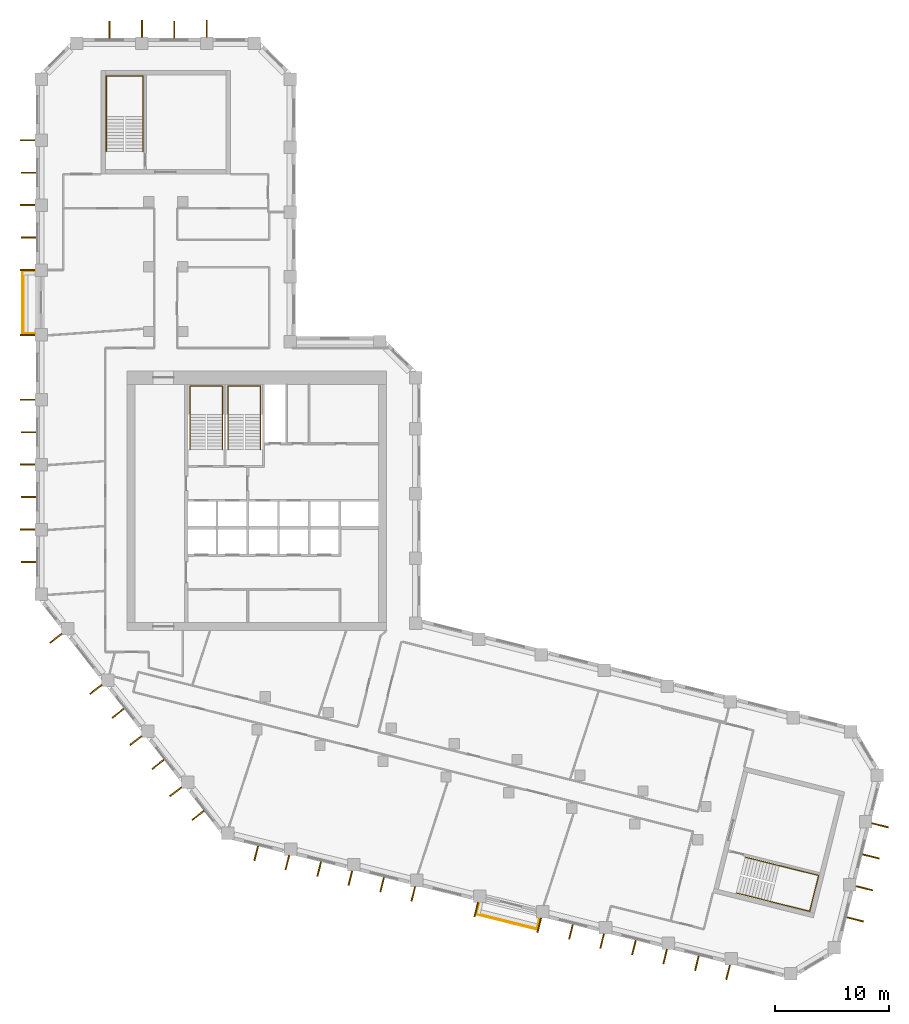
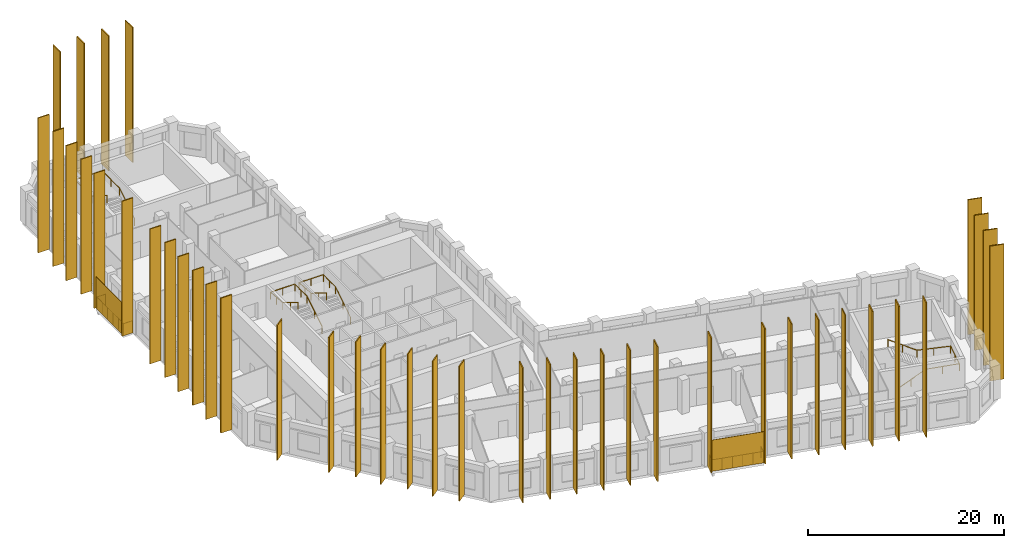
# One storey, part 10 of 10: 43 shading devices, 6 railings.
"""IFC4 building model written with IfcOpenShell, lengths in metres."""

from ifc_helpers import new_model, si_unit, direction, frame, origin, origin_2d, place, context, subcontext, project, spatial, rectangle, circle, extrude, material, layer, layer_set, type_object, element, save


model = new_model("IFC4")

# Units and contexts
model_context = context("Model", 3, precision=1e-05, world=origin(), true_north=direction((0.0, 1.0)))
body_context = subcontext(model_context, "Body", "Model", "MODEL_VIEW")
ifc_project = project(units=[si_unit("LENGTHUNIT", "METRE"), si_unit("AREAUNIT", "SQUARE_METRE"), si_unit("VOLUMEUNIT", "CUBIC_METRE"), si_unit("PLANEANGLEUNIT", "RADIAN"), si_unit("MASSUNIT", "GRAM", prefix="KILO")], contexts=[model_context])

# Site, building, storey
site_placement = place(None, origin())
site = spatial("IfcSite", under=ifc_project, at=site_placement, CompositionType="ELEMENT")
building_placement = place(site_placement, origin())
building = spatial("IfcBuilding", under=site, at=building_placement, Name="Meshkara Civic Tower", CompositionType="ELEMENT")
storey_placement = place(building_placement, frame((0.0, 0.0, 242.39990234375)))
storey = spatial("IfcBuildingStorey", under=building, at=storey_placement, Name="L55", CompositionType="ELEMENT", Elevation=242.39990234375)

# Railings
ifc_material_1 = material(Name="Steel S355", Category="steel")
railing_type_1 = type_object("IfcRailingType", Name="BALUSTRADE GUARD 1400", PredefinedType="BALUSTRADE", material=ifc_material_1)
railing_1_placement = place(storey_placement, frame((-0.10009765625, 45.635009765625, 0.0)))
element("IfcRailing", 1, at=railing_1_placement, inside=storey, type_object=railing_type_1, Name="Balcony guard", PredefinedType="BALUSTRADE", context=body_context, shape_type="SweptSolid", body=[
    extrude(circle(Radius=0.02392578125, at=origin_2d()), frame((0.0, 0.0, 1.3759765625), z_axis=(-1.0, 0.0, 0.0), x_axis=(0.0, -1.0, 0.0)), (0.0, 0.0, 1.0), 1.010009765625),
    extrude(circle(Radius=0.02392578125, at=origin_2d()), frame((-1.010009765625, 0.0, 1.3759765625), z_axis=(0.0, -1.0, 0.0), x_axis=(1.0, 0.0, 0.0)), (0.0, 0.0, 1.0), 5.4599609375),
    extrude(circle(Radius=0.02392578125, at=origin_2d()), frame((-1.010009765625, -5.4599609375, 1.3759765625), z_axis=(1.0, 0.0, 0.0), x_axis=(0.0, 1.0, 0.0)), (0.0, 0.0, 1.0), 1.010009765625),
    extrude(circle(Radius=0.02099609375, at=origin_2d()), origin(), (0.0, 0.0, 1.0), 1.351806640625),
    extrude(circle(Radius=0.02099609375, at=origin_2d()), frame((-1.010009765625, 0.0, 0.0)), (0.0, 0.0, 1.0), 1.351806640625),
    extrude(circle(Radius=0.02099609375, at=origin_2d()), frame((-1.010009765625, -1.092041015625, 0.0)), (0.0, 0.0, 1.0), 1.351806640625),
    extrude(circle(Radius=0.02099609375, at=origin_2d()), frame((-1.010009765625, -2.18408203125, 0.0)), (0.0, 0.0, 1.0), 1.351806640625),
    extrude(circle(Radius=0.02099609375, at=origin_2d()), frame((-1.010009765625, -3.27587890625, 0.0)), (0.0, 0.0, 1.0), 1.351806640625),
    extrude(circle(Radius=0.02099609375, at=origin_2d()), frame((-1.010009765625, -4.367919921875, 0.0)), (0.0, 0.0, 1.0), 1.351806640625),
    extrude(circle(Radius=0.02099609375, at=origin_2d()), frame((-1.010009765625, -5.4599609375, 0.0)), (0.0, 0.0, 1.0), 1.351806640625),
    extrude(circle(Radius=0.02099609375, at=origin_2d()), frame((0.0, -5.4599609375, 0.0)), (0.0, 0.0, 1.0), 1.351806640625),
])
railing_2_placement = place(storey_placement, frame((38.928955078125, -9.928955078125, 0.0)))
element("IfcRailing", 2, at=railing_2_placement, inside=storey, type_object=railing_type_1, Name="Balcony guard", PredefinedType="BALUSTRADE", context=body_context, shape_type="SweptSolid", body=[
    extrude(circle(Radius=0.02392578125, at=origin_2d()), frame((0.0, 0.0, 1.3759765625), z_axis=(-0.241828319243, -0.97031905269, 0.0), x_axis=(0.97031905269, -0.241828319243, 0.0)), (0.0, 0.0, 1.0), 0.8935546875),
    extrude(circle(Radius=0.02392578125, at=origin_2d()), frame((-0.216064453125, -0.866943359375, 1.3759765625), z_axis=(0.970292231073, -0.24193591366, 0.0), x_axis=(0.24193591366, 0.970292231073, 0.0)), (0.0, 0.0, 1.0), 5.460205078125),
    extrude(circle(Radius=0.02392578125, at=origin_2d()), frame((5.08203125, -2.18798828125, 1.3759765625), z_axis=(0.241828319243, 0.97031905269, 0.0), x_axis=(-0.97031905269, 0.241828319243, 0.0)), (0.0, 0.0, 1.0), 0.8935546875),
    extrude(circle(Radius=0.02099609375, at=origin_2d()), origin(), (0.0, 0.0, 1.0), 1.351806640625),
    extrude(circle(Radius=0.02099609375, at=origin_2d()), frame((-0.216064453125, -0.866943359375, 0.0)), (0.0, 0.0, 1.0), 1.351806640625),
    extrude(circle(Radius=0.02099609375, at=origin_2d()), frame((0.843505859375, -1.131103515625, 0.0)), (0.0, 0.0, 1.0), 1.351806640625),
    extrude(circle(Radius=0.02099609375, at=origin_2d()), frame((1.903076171875, -1.395263671875, 0.0)), (0.0, 0.0, 1.0), 1.351806640625),
    extrude(circle(Radius=0.02099609375, at=origin_2d()), frame((2.962890625, -1.65966796875, 0.0)), (0.0, 0.0, 1.0), 1.351806640625),
    extrude(circle(Radius=0.02099609375, at=origin_2d()), frame((4.0224609375, -1.923828125, 0.0)), (0.0, 0.0, 1.0), 1.351806640625),
    extrude(circle(Radius=0.02099609375, at=origin_2d()), frame((5.08203125, -2.18798828125, 0.0)), (0.0, 0.0, 1.0), 1.351806640625),
    extrude(circle(Radius=0.02099609375, at=origin_2d()), frame((5.298095703125, -1.321044921875, 0.0)), (0.0, 0.0, 1.0), 1.351806640625),
])

# Shading devices
ifc_material_2 = material(Name="Bronze anodised aluminium", Category="aluminium")
ifc_layer_1 = layer(ifc_material_2, 0.1201171875)
ifc_layer_set_1 = layer_set([ifc_layer_1], Name="BRONZE FIN 1300")
shading_device_type_1 = type_object("IfcShadingDeviceType", Name="BRONZE FIN 1300", PredefinedType="USERDEFINED", material=ifc_layer_set_1)
for number, where, z_axis, x_axis, name in (
    (3, (-0.75, 57.155029296875, 0.0), (0.0, 0.0, 1.0), (0.0, -1.0, 0.0), "Fin"),
    (4, (-0.64990234375, 54.304931640625, 0.0), (0.0, 0.0, 1.0), (0.0, -1.0, 0.0), "Fin"),
    (5, (-0.75, 51.455078125, 0.0), (0.0, 0.0, 1.0), (0.0, -1.0, 0.0), "Fin"),
    (6, (-0.64990234375, 48.60498046875, 0.0), (0.0, 0.0, 1.0), (0.0, -1.0, 0.0), "Fin"),
    (7, (-0.75, 45.7548828125, 0.0), (0.0, 0.0, 1.0), (0.0, -1.0, 0.0), "Fin"),
    (8, (-0.75, 40.054931640625, 0.0), (0.0, 0.0, 1.0), (0.0, -1.0, 0.0), "Fin"),
    (9, (-0.75, 34.35498046875, 0.0), (0.0, 0.0, 1.0), (0.0, -1.0, 0.0), "Fin"),
    (10, (-0.64990234375, 31.5048828125, 0.0), (0.0, 0.0, 1.0), (0.0, -1.0, 0.0), "Fin"),
    (11, (-0.75, 28.655029296875, 0.0), (0.0, 0.0, 1.0), (0.0, -1.0, 0.0), "Fin"),
    (12, (-0.64990234375, 25.804931640625, 0.0), (0.0, 0.0, 1.0), (0.0, -1.0, 0.0), "Fin"),
    (13, (-0.75, 22.955078125, 0.0), (0.0, 0.0, 1.0), (0.0, -1.0, 0.0), "Fin"),
    (14, (-0.64990234375, 20.10498046875, 0.0), (0.0, 0.0, 1.0), (0.0, -1.0, 0.0), "Fin"),
    (15, (1.751953125, 13.39892578125, 0.0), (0.0, 0.0, 1.0), (0.615661475326, -0.788010753607, 0.0), "Fin"),
    (16, (5.260986328125, 8.906982421875, 0.0), (0.0, 0.0, 1.0), (0.615661475326, -0.788010753607, 0.0), "Fin"),
    (17, (7.2109375, 6.81396484375, 0.0), (0.0, 0.0, 1.0), (0.615661475326, -0.788010753607, 0.0), "Fin"),
    (18, (8.77099609375, 4.4150390625, 0.0), (0.0, 0.0, 1.0), (0.615661475326, -0.788010753607, 0.0), "Fin"),
    (19, (10.720947265625, 2.322021484375, 0.0), (0.0, 0.0, 1.0), (0.615661475326, -0.788010753607, 0.0), "Fin"),
    (20, (12.280029296875, -0.075927734375, 0.0), (0.0, 0.0, 1.0), (0.615661475326, -0.788010753607, 0.0), "Fin"),
    (21, (14.22998046875, -2.1689453125, 0.0), (0.0, 0.0, 1.0), (0.615661475326, -0.788010753607, 0.0), "Fin"),
    (22, (19.35009765625, -5.4951171875, 0.0), (0.0, 0.0, 1.0), (0.970299948462, -0.241904960708, 0.0), "Fin"),
    (23, (22.087890625, -6.298095703125, 0.0), (0.0, 0.0, 1.0), (0.970299948462, -0.241904960708, 0.0), "Fin"),
    (24, (24.881103515625, -6.873046875, 0.0), (0.0, 0.0, 1.0), (0.970299948462, -0.241904960708, 0.0), "Fin"),
    (25, (27.617919921875, -7.677001953125, 0.0), (0.0, 0.0, 1.0), (0.970299948462, -0.241904960708, 0.0), "Fin"),
    (26, (30.412109375, -8.251953125, 0.0), (0.0, 0.0, 1.0), (0.970299948462, -0.241904960708, 0.0), "Fin"),
    (27, (33.14892578125, -9.055908203125, 0.0), (0.0, 0.0, 1.0), (0.970299948462, -0.241904960708, 0.0), "Fin"),
    (28, (38.679931640625, -10.43408203125, 0.0), (0.0, 0.0, 1.0), (0.970299948462, -0.241904960708, 0.0), "Fin"),
    (29, (44.2109375, -11.81298828125, 0.0), (0.0, 0.0, 1.0), (0.970299948462, -0.241904960708, 0.0), "Fin"),
    (30, (47.00390625, -12.388916015625, 0.0), (0.0, 0.0, 1.0), (0.970299948462, -0.241904960708, 0.0), "Fin"),
    (31, (49.740966796875, -13.19189453125, 0.0), (0.0, 0.0, 1.0), (0.970299948462, -0.241904960708, 0.0), "Fin"),
    (32, (52.533935546875, -13.76806640625, 0.0), (0.0, 0.0, 1.0), (0.970299948462, -0.241904960708, 0.0), "Fin"),
    (33, (55.27197265625, -14.571044921875, 0.0), (0.0, 0.0, 1.0), (0.970299948462, -0.241904960708, 0.0), "Fin"),
    (34, (58.06494140625, -15.14697265625, 0.0), (0.0, 0.0, 1.0), (0.970299948462, -0.241904960708, 0.0), "Fin"),
    (35, (60.802978515625, -15.949951171875, 0.0), (0.0, 0.0, 1.0), (0.970299948462, -0.241904960708, 0.0), "Fin"),
):
    element("IfcShadingDevice", number, at=place(storey_placement, frame(where, z_axis=z_axis, x_axis=x_axis)), inside=storey, type_object=shading_device_type_1, Name=name, ObjectType="FIN", PredefinedType="USERDEFINED", context=body_context, shape_type="SweptSolid", body=[
        extrude(rectangle(XDim=0.1201171875, YDim=1.300048828125, at=origin_2d()), origin(), (0.0, 0.0, 1.0), 16.800048828125),
    ])
ifc_material_3 = material(Name="Bronze anodised aluminium", Category="aluminium")
ifc_layer_2 = layer(ifc_material_3, 0.1201171875)
ifc_layer_set_2 = layer_set([ifc_layer_2], Name="BRONZE FIN 1500")
shading_device_type_2 = type_object("IfcShadingDeviceType", Name="BRONZE FIN 1500", PredefinedType="USERDEFINED", material=ifc_layer_set_2)
for number, where, z_axis, x_axis, name in (
    (36, (15.006103515625, 66.969970703125, 0.0), (0.0, 0.0, 1.0), (-1.0, 0.0, 0.0), "Fin"),
    (37, (12.156005859375, 66.8701171875, 0.0), (0.0, 0.0, 1.0), (-1.0, 0.0, 0.0), "Fin"),
    (38, (9.305908203125, 66.969970703125, 0.0), (0.0, 0.0, 1.0), (-1.0, 0.0, 0.0), "Fin"),
    (39, (6.4560546875, 66.8701171875, 0.0), (0.0, 0.0, 1.0), (-1.0, 0.0, 0.0), "Fin"),
    (40, (71.97607421875, -11.291015625, 0.0), (0.0, 0.0, 1.0), (0.2419218956, 0.970295726276, 0.0), "Fin"),
    (41, (72.779052734375, -8.553955078125, 0.0), (0.0, 0.0, 1.0), (0.2419218956, 0.970295726276, 0.0), "Fin"),
    (42, (73.35498046875, -5.760009765625, 0.0), (0.0, 0.0, 1.0), (0.2419218956, 0.970295726276, 0.0), "Fin"),
    (43, (74.157958984375, -3.02392578125, 0.0), (0.0, 0.0, 1.0), (0.2419218956, 0.970295726276, 0.0), "Fin"),
):
    element("IfcShadingDevice", number, at=place(storey_placement, frame(where, z_axis=z_axis, x_axis=x_axis)), inside=storey, type_object=shading_device_type_2, Name=name, ObjectType="FIN", PredefinedType="USERDEFINED", context=body_context, shape_type="SweptSolid", body=[
        extrude(rectangle(XDim=0.1201171875, YDim=1.5, at=origin_2d()), origin(), (0.0, 0.0, 1.0), 16.800048828125),
    ])
ifc_material_4 = material(Name="Perforated bronze anodised aluminium sheet", Category="aluminium")
ifc_layer_3 = layer(ifc_material_4, 0.0400390625)
ifc_layer_set_3 = layer_set([ifc_layer_3], Name="PERFORATED BRONZE SCREEN")
shading_device_type_3 = type_object("IfcShadingDeviceType", Name="PERFORATED BRONZE SCREEN", PredefinedType="USERDEFINED", material=ifc_layer_set_3)
for number, where, z_axis, x_axis, name in (
    (44, (-1.179931640625, 42.905029296875, 0.000244140625), (0.0, 0.0, 1.0), (0.0, -1.0, 0.0), "Balcony screen"),
    (45, (41.344970703125, -11.52392578125, 0.000244140625), (0.0, 0.0, 1.0), (0.970299948462, -0.241904960708, 0.0), "Balcony screen"),
):
    element("IfcShadingDevice", number, at=place(storey_placement, frame(where, z_axis=z_axis, x_axis=x_axis)), inside=storey, type_object=shading_device_type_3, Name=name, ObjectType="SCREEN", PredefinedType="USERDEFINED", context=body_context, shape_type="SweptSolid", body=[
        extrude(rectangle(XDim=5.580078125, YDim=0.0400390625, at=origin_2d()), origin(), (0.0, 0.0, 1.0), 3.89990234375),
    ])

# Railings
ifc_material_5 = material(Name="Steel handrail", Category="steel")
railing_type_2 = type_object("IfcRailingType", Name="Stair handrail 900", PredefinedType="HANDRAIL", material=ifc_material_5)
railing_3_placement = place(storey_placement, frame((16.375, 30.0, 0.175048828125)))
element("IfcRailing", 46, at=railing_3_placement, inside=storey, type_object=railing_type_2, Name="L55 ST1 stair handrail 1", PredefinedType="HANDRAIL", context=body_context, shape_type="SweptSolid", body=[
    extrude(circle(Radius=0.02392578125, at=origin_2d()), frame((0.0, 0.0, 0.8759765625), z_axis=(0.0, 0.847998304005, 0.529998940003), x_axis=(-1.0, 0.0, 0.0)), (0.0, 0.0, 1.0), 3.632080078125),
    extrude(circle(Radius=0.02392578125, at=origin_2d()), frame((0.0, 3.080078125, 2.80078125), z_axis=(0.0, 1.0, 0.0), x_axis=(-1.0, 0.0, 0.0)), (0.0, 0.0, 1.0), 2.469970703125),
    extrude(circle(Radius=0.02392578125, at=origin_2d()), frame((0.0, 5.550048828125, 2.80078125), z_axis=(-1.0, 0.0, 0.0), x_axis=(0.0, -1.0, 0.0)), (0.0, 0.0, 1.0), 2.85009765625),
    extrude(circle(Radius=0.02392578125, at=origin_2d()), frame((-2.85009765625, 5.550048828125, 2.80078125), z_axis=(0.0, -0.997498084828, 0.070693498747), x_axis=(1.0, 0.0, 0.0)), (0.0, 0.0, 1.0), 2.47607421875),
    extrude(circle(Radius=0.02392578125, at=origin_2d()), frame((-2.85009765625, 3.080078125, 2.97607421875), z_axis=(0.0, -0.847998304005, 0.529998940003), x_axis=(1.0, 0.0, 0.0)), (0.0, 0.0, 1.0), 3.632080078125),
    extrude(circle(Radius=0.02099609375, at=origin_2d()), origin(), (0.0, 0.0, 1.0), 0.851806640625),
    extrude(circle(Radius=0.02099609375, at=origin_2d()), frame((0.0, 1.5400390625, 0.96240234375)), (0.0, 0.0, 1.0), 0.851806640625),
    extrude(circle(Radius=0.02099609375, at=origin_2d()), frame((0.0, 3.080078125, 1.925048828125)), (0.0, 0.0, 1.0), 0.851806640625),
    extrude(circle(Radius=0.02099609375, at=origin_2d()), frame((0.0, 4.31494140625, 1.925048828125)), (0.0, 0.0, 1.0), 0.851806640625),
    extrude(circle(Radius=0.02099609375, at=origin_2d()), frame((0.0, 5.550048828125, 1.925048828125)), (0.0, 0.0, 1.0), 0.851806640625),
    extrude(circle(Radius=0.02099609375, at=origin_2d()), frame((-1.425048828125, 5.550048828125, 1.925048828125)), (0.0, 0.0, 1.0), 0.851806640625),
    extrude(circle(Radius=0.02099609375, at=origin_2d()), frame((-2.85009765625, 5.550048828125, 1.925048828125)), (0.0, 0.0, 1.0), 0.851806640625),
    extrude(circle(Radius=0.02099609375, at=origin_2d()), frame((-2.85009765625, 4.31494140625, 2.0126953125)), (0.0, 0.0, 1.0), 0.851806640625),
    extrude(circle(Radius=0.02099609375, at=origin_2d()), frame((-2.85009765625, 3.080078125, 2.10009765625)), (0.0, 0.0, 1.0), 0.851806640625),
    extrude(circle(Radius=0.02099609375, at=origin_2d()), frame((-2.85009765625, 1.5400390625, 3.0625)), (0.0, 0.0, 1.0), 0.851806640625),
    extrude(circle(Radius=0.02099609375, at=origin_2d()), frame((-2.85009765625, 0.0, 4.025146484375)), (0.0, 0.0, 1.0), 0.851806640625),
])
railing_4_placement = place(storey_placement, frame((19.72509765625, 30.0, 0.175048828125)))
element("IfcRailing", 47, at=railing_4_placement, inside=storey, type_object=railing_type_2, Name="L55 ST2 stair handrail 1", PredefinedType="HANDRAIL", context=body_context, shape_type="SweptSolid", body=[
    extrude(circle(Radius=0.02392578125, at=origin_2d()), frame((0.0, 0.0, 0.8759765625), z_axis=(0.0, 0.847998304005, 0.529998940003), x_axis=(-1.0, 0.0, 0.0)), (0.0, 0.0, 1.0), 3.632080078125),
    extrude(circle(Radius=0.02392578125, at=origin_2d()), frame((0.0, 3.080078125, 2.80078125), z_axis=(0.0, 1.0, 0.0), x_axis=(-1.0, 0.0, 0.0)), (0.0, 0.0, 1.0), 2.469970703125),
    extrude(circle(Radius=0.02392578125, at=origin_2d()), frame((0.0, 5.550048828125, 2.80078125), z_axis=(-1.0, 0.0, 0.0), x_axis=(0.0, -1.0, 0.0)), (0.0, 0.0, 1.0), 2.85009765625),
    extrude(circle(Radius=0.02392578125, at=origin_2d()), frame((-2.85009765625, 5.550048828125, 2.80078125), z_axis=(0.0, -0.997498084828, 0.070693498747), x_axis=(1.0, 0.0, 0.0)), (0.0, 0.0, 1.0), 2.47607421875),
    extrude(circle(Radius=0.02392578125, at=origin_2d()), frame((-2.85009765625, 3.080078125, 2.97607421875), z_axis=(0.0, -0.847998304005, 0.529998940003), x_axis=(1.0, 0.0, 0.0)), (0.0, 0.0, 1.0), 3.632080078125),
    extrude(circle(Radius=0.02099609375, at=origin_2d()), origin(), (0.0, 0.0, 1.0), 0.851806640625),
    extrude(circle(Radius=0.02099609375, at=origin_2d()), frame((0.0, 1.5400390625, 0.96240234375)), (0.0, 0.0, 1.0), 0.851806640625),
    extrude(circle(Radius=0.02099609375, at=origin_2d()), frame((0.0, 3.080078125, 1.925048828125)), (0.0, 0.0, 1.0), 0.851806640625),
    extrude(circle(Radius=0.02099609375, at=origin_2d()), frame((0.0, 4.31494140625, 1.925048828125)), (0.0, 0.0, 1.0), 0.851806640625),
    extrude(circle(Radius=0.02099609375, at=origin_2d()), frame((0.0, 5.550048828125, 1.925048828125)), (0.0, 0.0, 1.0), 0.851806640625),
    extrude(circle(Radius=0.02099609375, at=origin_2d()), frame((-1.425048828125, 5.550048828125, 1.925048828125)), (0.0, 0.0, 1.0), 0.851806640625),
    extrude(circle(Radius=0.02099609375, at=origin_2d()), frame((-2.85009765625, 5.550048828125, 1.925048828125)), (0.0, 0.0, 1.0), 0.851806640625),
    extrude(circle(Radius=0.02099609375, at=origin_2d()), frame((-2.85009765625, 4.31494140625, 2.0126953125)), (0.0, 0.0, 1.0), 0.851806640625),
    extrude(circle(Radius=0.02099609375, at=origin_2d()), frame((-2.85009765625, 3.080078125, 2.10009765625)), (0.0, 0.0, 1.0), 0.851806640625),
    extrude(circle(Radius=0.02099609375, at=origin_2d()), frame((-2.85009765625, 1.5400390625, 3.0625)), (0.0, 0.0, 1.0), 0.851806640625),
    extrude(circle(Radius=0.02099609375, at=origin_2d()), frame((-2.85009765625, 0.0, 4.025146484375)), (0.0, 0.0, 1.0), 0.851806640625),
])
railing_5_placement = place(storey_placement, frame((9.425048828125, 56.169921875, 0.175048828125)))
element("IfcRailing", 48, at=railing_5_placement, inside=storey, type_object=railing_type_2, Name="L55 ESA4 stair handrail 1", PredefinedType="HANDRAIL", context=body_context, shape_type="SweptSolid", body=[
    extrude(circle(Radius=0.02392578125, at=origin_2d()), frame((0.0, 0.0, 0.8759765625), z_axis=(0.0, 0.847998304005, 0.529998940003), x_axis=(-1.0, 0.0, 0.0)), (0.0, 0.0, 1.0), 3.632080078125),
    extrude(circle(Radius=0.02392578125, at=origin_2d()), frame((0.0, 3.080078125, 2.80078125), z_axis=(0.0, 1.0, 0.0), x_axis=(-1.0, 0.0, 0.0)), (0.0, 0.0, 1.0), 3.570068359375),
    extrude(circle(Radius=0.02392578125, at=origin_2d()), frame((0.0, 6.650146484375, 2.80078125), z_axis=(-1.0, 0.0, 0.0), x_axis=(0.0, -1.0, 0.0)), (0.0, 0.0, 1.0), 3.25),
    extrude(circle(Radius=0.02392578125, at=origin_2d()), frame((-3.25, 6.650146484375, 2.80078125), z_axis=(0.0, -0.998800077689, 0.048973511297), x_axis=(1.0, 0.0, 0.0)), (0.0, 0.0, 1.0), 3.574462890625),
    extrude(circle(Radius=0.02392578125, at=origin_2d()), frame((-3.25, 3.080078125, 2.97607421875), z_axis=(0.0, -0.847998304005, 0.529998940003), x_axis=(1.0, 0.0, 0.0)), (0.0, 0.0, 1.0), 3.632080078125),
    extrude(circle(Radius=0.02099609375, at=origin_2d()), origin(), (0.0, 0.0, 1.0), 0.851806640625),
    extrude(circle(Radius=0.02099609375, at=origin_2d()), frame((0.0, 1.5400390625, 0.96240234375)), (0.0, 0.0, 1.0), 0.851806640625),
    extrude(circle(Radius=0.02099609375, at=origin_2d()), frame((0.0, 3.080078125, 1.925048828125)), (0.0, 0.0, 1.0), 0.851806640625),
    extrude(circle(Radius=0.02099609375, at=origin_2d()), frame((0.0, 4.865234375, 1.925048828125)), (0.0, 0.0, 1.0), 0.851806640625),
    extrude(circle(Radius=0.02099609375, at=origin_2d()), frame((0.0, 6.650146484375, 1.925048828125)), (0.0, 0.0, 1.0), 0.851806640625),
    extrude(circle(Radius=0.02099609375, at=origin_2d()), frame((-1.625, 6.650146484375, 1.925048828125)), (0.0, 0.0, 1.0), 0.851806640625),
    extrude(circle(Radius=0.02099609375, at=origin_2d()), frame((-3.25, 6.650146484375, 1.925048828125)), (0.0, 0.0, 1.0), 0.851806640625),
    extrude(circle(Radius=0.02099609375, at=origin_2d()), frame((-3.25, 4.865234375, 2.0126953125)), (0.0, 0.0, 1.0), 0.851806640625),
    extrude(circle(Radius=0.02099609375, at=origin_2d()), frame((-3.25, 3.080078125, 2.10009765625)), (0.0, 0.0, 1.0), 0.851806640625),
    extrude(circle(Radius=0.02099609375, at=origin_2d()), frame((-3.25, 1.5400390625, 3.0625)), (0.0, 0.0, 1.0), 0.851806640625),
    extrude(circle(Radius=0.02099609375, at=origin_2d()), frame((-3.25, 0.0, 4.025146484375)), (0.0, 0.0, 1.0), 0.851806640625),
])
railing_6_placement = place(storey_placement, frame((61.526123046875, -8.97607421875, 0.175048828125)))
element("IfcRailing", 49, at=railing_6_placement, inside=storey, type_object=railing_type_2, Name="L55 ESB4 stair handrail 1", PredefinedType="HANDRAIL", context=body_context, shape_type="SweptSolid", body=[
    extrude(circle(Radius=0.02392578125, at=origin_2d()), frame((0.0, 0.0, 0.8759765625), z_axis=(0.822771605551, -0.205222362071, 0.530028930537), x_axis=(0.242013336109, 0.97027292302, 0.0)), (0.0, 0.0, 1.0), 3.632080078125),
    extrude(circle(Radius=0.02392578125, at=origin_2d()), frame((2.98828125, -0.745361328125, 2.80078125), z_axis=(0.97025503065, -0.242085058395, 0.0), x_axis=(0.242085058395, 0.97025503065, 0.0)), (0.0, 0.0, 1.0), 3.570068359375),
    extrude(circle(Radius=0.02392578125, at=origin_2d()), frame((6.4521484375, -1.609619140625, 2.80078125), z_axis=(0.242040676986, 0.970266103027, 0.0), x_axis=(-0.970266103027, 0.242040676986, 0.0)), (0.0, 0.0, 1.0), 3.25),
    extrude(circle(Radius=0.02392578125, at=origin_2d()), frame((7.23876953125, 1.543701171875, 2.80078125), z_axis=(-0.969086635977, 0.241810579499, 0.04897688856), x_axis=(-0.24210112213, -0.970251022501, 0.0)), (0.0, 0.0, 1.0), 3.57421875),
    extrude(circle(Radius=0.02392578125, at=origin_2d()), frame((3.775146484375, 2.407958984375, 2.97607421875), z_axis=(-0.822793318929, 0.205211012392, 0.529999617659), x_axis=(-0.24199472324, -0.970277565403, 0.0)), (0.0, 0.0, 1.0), 3.632080078125),
    extrude(circle(Radius=0.02099609375, at=origin_2d()), origin(), (0.0, 0.0, 1.0), 0.851806640625),
    extrude(circle(Radius=0.02099609375, at=origin_2d()), frame((1.494140625, -0.37255859375, 0.96240234375)), (0.0, 0.0, 1.0), 0.851806640625),
    extrude(circle(Radius=0.02099609375, at=origin_2d()), frame((2.98828125, -0.745361328125, 1.925048828125)), (0.0, 0.0, 1.0), 0.851806640625),
    extrude(circle(Radius=0.02099609375, at=origin_2d()), frame((4.72021484375, -1.177490234375, 1.925048828125)), (0.0, 0.0, 1.0), 0.851806640625),
    extrude(circle(Radius=0.02099609375, at=origin_2d()), frame((6.4521484375, -1.609619140625, 1.925048828125)), (0.0, 0.0, 1.0), 0.851806640625),
    extrude(circle(Radius=0.02099609375, at=origin_2d()), frame((6.845458984375, -0.032958984375, 1.925048828125)), (0.0, 0.0, 1.0), 0.851806640625),
    extrude(circle(Radius=0.02099609375, at=origin_2d()), frame((7.23876953125, 1.543701171875, 1.925048828125)), (0.0, 0.0, 1.0), 0.851806640625),
    extrude(circle(Radius=0.02099609375, at=origin_2d()), frame((5.5068359375, 1.975830078125, 2.0126953125)), (0.0, 0.0, 1.0), 0.851806640625),
    extrude(circle(Radius=0.02099609375, at=origin_2d()), frame((3.775146484375, 2.407958984375, 2.10009765625)), (0.0, 0.0, 1.0), 0.851806640625),
    extrude(circle(Radius=0.02099609375, at=origin_2d()), frame((2.28076171875, 2.78076171875, 3.0625)), (0.0, 0.0, 1.0), 0.851806640625),
    extrude(circle(Radius=0.02099609375, at=origin_2d()), frame((0.78662109375, 3.1533203125, 4.025146484375)), (0.0, 0.0, 1.0), 0.851806640625),
])

save(model, "model.ifc")
